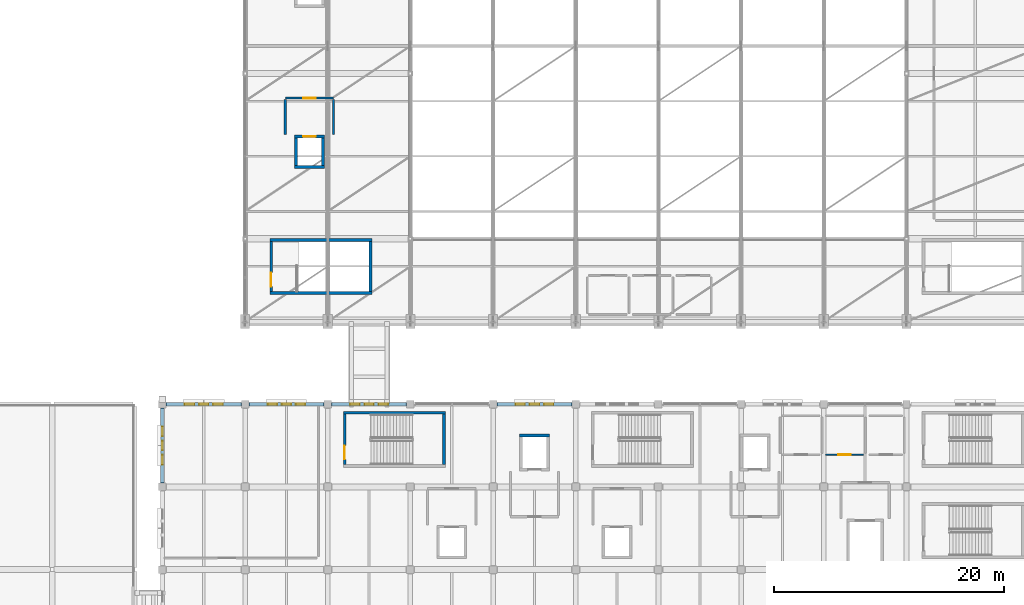
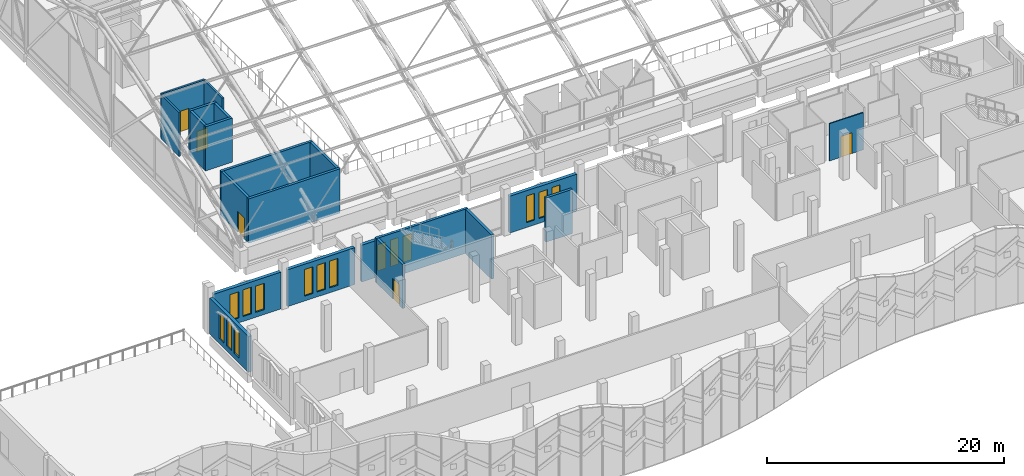
# One storey, part 90 of 116: 21 walls, 15 windows, 5 doors, 20 openings.
"""IFC4 building model written with IfcOpenShell, lengths in metres."""

from ifc_helpers import new_model, si_unit, direction, frame, frame_2d, origin, place, context, subcontext, project, spatial, rectangle, extrude, material, layer, layer_set, type_object, element, fill, save


model = new_model("IFC4")

# Units and contexts
model_context = context("Model", 3, precision=1e-05, world=origin(), true_north=direction((0.0, 1.0)))
body_context = subcontext(model_context, "Body", "Model", "MODEL_VIEW")
ifc_project = project(units=[si_unit("LENGTHUNIT", "METRE"), si_unit("AREAUNIT", "SQUARE_METRE"), si_unit("VOLUMEUNIT", "CUBIC_METRE"), si_unit("PLANEANGLEUNIT", "RADIAN"), si_unit("MASSUNIT", "GRAM", prefix="KILO")], contexts=[model_context])

# Site, building, storey
site_placement = place(None, origin())
site = spatial("IfcSite", under=ifc_project, at=site_placement, CompositionType="ELEMENT")
building_placement = place(site_placement, origin())
building = spatial("IfcBuilding", under=site, at=building_placement, Name="Cendralis Lancet Convention Centre", CompositionType="ELEMENT")
storey_placement = place(building_placement, frame((0.0, 0.0, 15.0)))
storey = spatial("IfcBuildingStorey", under=building, at=storey_placement, Name="L03", CompositionType="ELEMENT", Elevation=15.0)

# Wall, openings, windows
ifc_material_1 = material(Name="Buff sandstone ashlar and Concrete G40 (C40/50)", Category="masonry")
ifc_layer_1 = layer(ifc_material_1, 0.320068359375, Name="Buff sandstone ashlar and Concrete G40 (C40/50)")
ifc_layer_set_1 = layer_set([ifc_layer_1], Name="Buff sandstone ashlar and Concrete G40 (C40/50)")
wall_type_1 = type_object("IfcWallType", Name="ARC-EW-W320", PredefinedType="STANDARD", material=ifc_layer_set_1)
wall_1_placement = place(storey_placement, frame((132.3330078125, 36.0, 0.0), z_axis=(0.0, 0.0, 1.0), x_axis=(1.0, 0.0, 0.0)))
wall_1 = element("IfcWall", 1, at=wall_1_placement, inside=storey, type_object=wall_type_1, Name="L03 V5 Exterior Wall EW-06 #0302", PredefinedType="STANDARD", context=body_context, shape_type="SweptSolid", body=[
    extrude(rectangle(XDim=6.533935546875, YDim=0.320068359375, at=frame_2d((3.26708984375, 0.0))), origin(), (0.0, 0.0, 1.0), 3.784912109375),
])
opening_1_placement = place(wall_1_placement, frame((1.60693359375, 0.0, 0.5)))
opening_1 = element("IfcOpeningElement", 2, at=opening_1_placement, cuts=wall_1, Name="Opening WN-15", PredefinedType="OPENING", context=body_context, shape_type="SweptSolid", body=[
    extrude(rectangle(XDim=0.840087890625, YDim=2.699951171875, at=frame_2d((0.419921875, 1.35009765625))), frame((0.0, 0.169921875, 0.0), z_axis=(0.0, -1.0, 0.0), x_axis=(1.0, 0.0, 0.0)), (0.0, 0.0, 1.0), 0.340087890625),
])
opening_2_placement = place(wall_1_placement, frame((2.866943359375, 0.0, 0.5)))
opening_2 = element("IfcOpeningElement", 3, at=opening_2_placement, cuts=wall_1, Name="Opening WN-07", PredefinedType="OPENING", context=body_context, shape_type="SweptSolid", body=[
    extrude(rectangle(XDim=0.800048828125, YDim=2.75, at=frame_2d((0.39990234375, 1.375))), frame((0.0, 0.169921875, 0.0), z_axis=(0.0, -1.0, 0.0), x_axis=(1.0, 0.0, 0.0)), (0.0, 0.0, 1.0), 0.340087890625),
])
opening_3_placement = place(wall_1_placement, frame((4.0869140625, 0.0, 0.5)))
opening_3 = element("IfcOpeningElement", 4, at=opening_3_placement, cuts=wall_1, Name="Opening WN-15", PredefinedType="OPENING", context=body_context, shape_type="SweptSolid", body=[
    extrude(rectangle(XDim=0.840087890625, YDim=2.699951171875, at=frame_2d((0.419921875, 1.35009765625))), frame((0.0, 0.169921875, 0.0), z_axis=(0.0, -1.0, 0.0), x_axis=(1.0, 0.0, 0.0)), (0.0, 0.0, 1.0), 0.340087890625),
])
ifc_material_2 = material(Name="Double-glazed low-E solar-control glass", Category="glass")
window_type_1 = type_object("IfcWindowType", Name="ARC-WN-LW07", PartitioningType="SINGLE_PANEL", PredefinedType="WINDOW", material=ifc_material_2)
window_1_placement = place(opening_2_placement, origin())
window_1 = element("IfcWindow", 5, at=window_1_placement, inside=storey, type_object=window_type_1, Name="Gothic Lancet Window WN-07 #0587", OverallHeight=2.75, OverallWidth=0.800048828125, PartitioningType="SINGLE_PANEL", PredefinedType="WINDOW", context=body_context, shape_type="SweptSolid", body=[
    extrude(rectangle(XDim=0.800048828125, YDim=2.75, at=frame_2d((0.39990234375, 1.375))), frame((0.0, 0.030029296875, 0.0), z_axis=(0.0, -1.0, 0.0), x_axis=(1.0, 0.0, 0.0)), (0.0, 0.0, 1.0), 0.06005859375),
])
fill(opening_2, window_1)
window_type_2 = type_object("IfcWindowType", Name="ARC-WN-LW15", PartitioningType="SINGLE_PANEL", PredefinedType="WINDOW", material=ifc_material_2)
window_2_placement = place(opening_1_placement, origin())
window_2 = element("IfcWindow", 6, at=window_2_placement, inside=storey, type_object=window_type_2, Name="Gothic Lancet Window WN-15 #0586", OverallHeight=2.699951171875, OverallWidth=0.840087890625, PartitioningType="SINGLE_PANEL", PredefinedType="WINDOW", context=body_context, shape_type="SweptSolid", body=[
    extrude(rectangle(XDim=0.840087890625, YDim=2.699951171875, at=frame_2d((0.419921875, 1.35009765625))), frame((0.0, 0.030029296875, 0.0), z_axis=(0.0, -1.0, 0.0), x_axis=(1.0, 0.0, 0.0)), (0.0, 0.0, 1.0), 0.06005859375),
])
fill(opening_1, window_2)
window_3_placement = place(opening_3_placement, origin())
window_3 = element("IfcWindow", 7, at=window_3_placement, inside=storey, type_object=window_type_2, Name="Gothic Lancet Window WN-15 #0588", OverallHeight=2.699951171875, OverallWidth=0.840087890625, PartitioningType="SINGLE_PANEL", PredefinedType="WINDOW", context=body_context, shape_type="SweptSolid", body=[
    extrude(rectangle(XDim=0.840087890625, YDim=2.699951171875, at=frame_2d((0.419921875, 1.35009765625))), frame((0.0, 0.030029296875, 0.0), z_axis=(0.0, -1.0, 0.0), x_axis=(1.0, 0.0, 0.0)), (0.0, 0.0, 1.0), 0.06005859375),
])
fill(opening_3, window_3)

wall_2_placement = place(storey_placement, frame((139.532958984375, 36.0, 0.0), z_axis=(0.0, 0.0, 1.0), x_axis=(1.0, 0.0, 0.0)))
wall_2 = element("IfcWall", 8, at=wall_2_placement, inside=storey, type_object=wall_type_1, Name="L03 V5 Exterior Wall EW-06 #0303", PredefinedType="STANDARD", context=body_context, shape_type="SweptSolid", body=[
    extrude(rectangle(XDim=6.533935546875, YDim=0.320068359375, at=frame_2d((3.26708984375, 0.0))), origin(), (0.0, 0.0, 1.0), 3.784912109375),
])
opening_4_placement = place(wall_2_placement, frame((1.64697265625, 0.0, 0.5)))
opening_4 = element("IfcOpeningElement", 9, at=opening_4_placement, cuts=wall_2, Name="Opening WN-07", PredefinedType="OPENING", context=body_context, shape_type="SweptSolid", body=[
    extrude(rectangle(XDim=0.800048828125, YDim=2.75, at=frame_2d((0.39990234375, 1.375))), frame((0.0, 0.169921875, 0.0), z_axis=(0.0, -1.0, 0.0), x_axis=(1.0, 0.0, 0.0)), (0.0, 0.0, 1.0), 0.340087890625),
])
opening_5_placement = place(wall_2_placement, frame((2.866943359375, 0.0, 0.5)))
opening_5 = element("IfcOpeningElement", 10, at=opening_5_placement, cuts=wall_2, Name="Opening WN-07", PredefinedType="OPENING", context=body_context, shape_type="SweptSolid", body=[
    extrude(rectangle(XDim=0.800048828125, YDim=2.75, at=frame_2d((0.39990234375, 1.375))), frame((0.0, 0.169921875, 0.0), z_axis=(0.0, -1.0, 0.0), x_axis=(1.0, 0.0, 0.0)), (0.0, 0.0, 1.0), 0.340087890625),
])
opening_6_placement = place(wall_2_placement, frame((4.0869140625, 0.0, 0.5)))
opening_6 = element("IfcOpeningElement", 11, at=opening_6_placement, cuts=wall_2, Name="Opening WN-07", PredefinedType="OPENING", context=body_context, shape_type="SweptSolid", body=[
    extrude(rectangle(XDim=0.800048828125, YDim=2.75, at=frame_2d((0.39990234375, 1.375))), frame((0.0, 0.169921875, 0.0), z_axis=(0.0, -1.0, 0.0), x_axis=(1.0, 0.0, 0.0)), (0.0, 0.0, 1.0), 0.340087890625),
])
window_4_placement = place(opening_4_placement, origin())
window_4 = element("IfcWindow", 12, at=window_4_placement, inside=storey, type_object=window_type_1, Name="Gothic Lancet Window WN-07 #0589", OverallHeight=2.75, OverallWidth=0.800048828125, PartitioningType="SINGLE_PANEL", PredefinedType="WINDOW", context=body_context, shape_type="SweptSolid", body=[
    extrude(rectangle(XDim=0.800048828125, YDim=2.75, at=frame_2d((0.39990234375, 1.375))), frame((0.0, 0.030029296875, 0.0), z_axis=(0.0, -1.0, 0.0), x_axis=(1.0, 0.0, 0.0)), (0.0, 0.0, 1.0), 0.06005859375),
])
fill(opening_4, window_4)
window_5_placement = place(opening_5_placement, origin())
window_5 = element("IfcWindow", 13, at=window_5_placement, inside=storey, type_object=window_type_1, Name="Gothic Lancet Window WN-07 #0590", OverallHeight=2.75, OverallWidth=0.800048828125, PartitioningType="SINGLE_PANEL", PredefinedType="WINDOW", context=body_context, shape_type="SweptSolid", body=[
    extrude(rectangle(XDim=0.800048828125, YDim=2.75, at=frame_2d((0.39990234375, 1.375))), frame((0.0, 0.030029296875, 0.0), z_axis=(0.0, -1.0, 0.0), x_axis=(1.0, 0.0, 0.0)), (0.0, 0.0, 1.0), 0.06005859375),
])
fill(opening_5, window_5)
window_6_placement = place(opening_6_placement, origin())
window_6 = element("IfcWindow", 14, at=window_6_placement, inside=storey, type_object=window_type_1, Name="Gothic Lancet Window WN-07 #0591", OverallHeight=2.75, OverallWidth=0.800048828125, PartitioningType="SINGLE_PANEL", PredefinedType="WINDOW", context=body_context, shape_type="SweptSolid", body=[
    extrude(rectangle(XDim=0.800048828125, YDim=2.75, at=frame_2d((0.39990234375, 1.375))), frame((0.0, 0.030029296875, 0.0), z_axis=(0.0, -1.0, 0.0), x_axis=(1.0, 0.0, 0.0)), (0.0, 0.0, 1.0), 0.06005859375),
])
fill(opening_6, window_6)

wall_3_placement = place(storey_placement, frame((146.73291015625, 36.0, 0.0), z_axis=(0.0, 0.0, 1.0), x_axis=(1.0, 0.0, 0.0)))
wall_3 = element("IfcWall", 15, at=wall_3_placement, inside=storey, type_object=wall_type_1, Name="L03 V5 Exterior Wall EW-06 #0304", PredefinedType="STANDARD", context=body_context, shape_type="SweptSolid", body=[
    extrude(rectangle(XDim=6.5341796875, YDim=0.320068359375, at=frame_2d((3.26708984375, 0.0))), origin(), (0.0, 0.0, 1.0), 3.784912109375),
])
opening_7_placement = place(wall_3_placement, frame((1.60693359375, 0.0, 0.5)))
opening_7 = element("IfcOpeningElement", 16, at=opening_7_placement, cuts=wall_3, Name="Opening WN-15", PredefinedType="OPENING", context=body_context, shape_type="SweptSolid", body=[
    extrude(rectangle(XDim=0.840087890625, YDim=2.699951171875, at=frame_2d((0.419921875, 1.35009765625))), frame((0.0, 0.169921875, 0.0), z_axis=(0.0, -1.0, 0.0), x_axis=(1.0, 0.0, 0.0)), (0.0, 0.0, 1.0), 0.340087890625),
])
opening_8_placement = place(wall_3_placement, frame((2.866943359375, 0.0, 0.5)))
opening_8 = element("IfcOpeningElement", 17, at=opening_8_placement, cuts=wall_3, Name="Opening WN-07", PredefinedType="OPENING", context=body_context, shape_type="SweptSolid", body=[
    extrude(rectangle(XDim=0.800048828125, YDim=2.75, at=frame_2d((0.39990234375, 1.375))), frame((0.0, 0.169921875, 0.0), z_axis=(0.0, -1.0, 0.0), x_axis=(1.0, 0.0, 0.0)), (0.0, 0.0, 1.0), 0.340087890625),
])
opening_9_placement = place(wall_3_placement, frame((4.0869140625, 0.0, 0.5)))
opening_9 = element("IfcOpeningElement", 18, at=opening_9_placement, cuts=wall_3, Name="Opening WN-15", PredefinedType="OPENING", context=body_context, shape_type="SweptSolid", body=[
    extrude(rectangle(XDim=0.840087890625, YDim=2.699951171875, at=frame_2d((0.419921875, 1.35009765625))), frame((0.0, 0.169921875, 0.0), z_axis=(0.0, -1.0, 0.0), x_axis=(1.0, 0.0, 0.0)), (0.0, 0.0, 1.0), 0.340087890625),
])
window_7_placement = place(opening_8_placement, origin())
window_7 = element("IfcWindow", 19, at=window_7_placement, inside=storey, type_object=window_type_1, Name="Gothic Lancet Window WN-07 #0593", OverallHeight=2.75, OverallWidth=0.800048828125, PartitioningType="SINGLE_PANEL", PredefinedType="WINDOW", context=body_context, shape_type="SweptSolid", body=[
    extrude(rectangle(XDim=0.800048828125, YDim=2.75, at=frame_2d((0.39990234375, 1.375))), frame((0.0, 0.030029296875, 0.0), z_axis=(0.0, -1.0, 0.0), x_axis=(1.0, 0.0, 0.0)), (0.0, 0.0, 1.0), 0.06005859375),
])
fill(opening_8, window_7)
window_8_placement = place(opening_7_placement, origin())
window_8 = element("IfcWindow", 20, at=window_8_placement, inside=storey, type_object=window_type_2, Name="Gothic Lancet Window WN-15 #0592", OverallHeight=2.699951171875, OverallWidth=0.840087890625, PartitioningType="SINGLE_PANEL", PredefinedType="WINDOW", context=body_context, shape_type="SweptSolid", body=[
    extrude(rectangle(XDim=0.840087890625, YDim=2.699951171875, at=frame_2d((0.419921875, 1.35009765625))), frame((0.0, 0.030029296875, 0.0), z_axis=(0.0, -1.0, 0.0), x_axis=(1.0, 0.0, 0.0)), (0.0, 0.0, 1.0), 0.06005859375),
])
fill(opening_7, window_8)
window_9_placement = place(opening_9_placement, origin())
window_9 = element("IfcWindow", 21, at=window_9_placement, inside=storey, type_object=window_type_2, Name="Gothic Lancet Window WN-15 #0594", OverallHeight=2.699951171875, OverallWidth=0.840087890625, PartitioningType="SINGLE_PANEL", PredefinedType="WINDOW", context=body_context, shape_type="SweptSolid", body=[
    extrude(rectangle(XDim=0.840087890625, YDim=2.699951171875, at=frame_2d((0.419921875, 1.35009765625))), frame((0.0, 0.030029296875, 0.0), z_axis=(0.0, -1.0, 0.0), x_axis=(1.0, 0.0, 0.0)), (0.0, 0.0, 1.0), 0.06005859375),
])
fill(opening_9, window_9)

wall_4_placement = place(storey_placement, frame((161.133056640625, 36.0, 0.0), z_axis=(0.0, 0.0, 1.0), x_axis=(1.0, 0.0, 0.0)))
wall_4 = element("IfcWall", 22, at=wall_4_placement, inside=storey, type_object=wall_type_1, Name="L03 V5 Exterior Wall EW-06 #0305", PredefinedType="STANDARD", context=body_context, shape_type="SweptSolid", body=[
    extrude(rectangle(XDim=6.533935546875, YDim=0.320068359375, at=frame_2d((3.26708984375, 0.0))), origin(), (0.0, 0.0, 1.0), 3.784912109375),
])
opening_10_placement = place(wall_4_placement, frame((1.626953125, 0.0, 0.5)))
opening_10 = element("IfcOpeningElement", 23, at=opening_10_placement, cuts=wall_4, Name="Opening WN-07", PredefinedType="OPENING", context=body_context, shape_type="SweptSolid", body=[
    extrude(rectangle(XDim=0.800048828125, YDim=2.75, at=frame_2d((0.39990234375, 1.375))), frame((0.0, 0.169921875, 0.0), z_axis=(0.0, -1.0, 0.0), x_axis=(1.0, 0.0, 0.0)), (0.0, 0.0, 1.0), 0.340087890625),
])
opening_11_placement = place(wall_4_placement, frame((2.846923828125, 0.0, 0.5)))
opening_11 = element("IfcOpeningElement", 24, at=opening_11_placement, cuts=wall_4, Name="Opening WN-15", PredefinedType="OPENING", context=body_context, shape_type="SweptSolid", body=[
    extrude(rectangle(XDim=0.840087890625, YDim=2.699951171875, at=frame_2d((0.419921875, 1.35009765625))), frame((0.0, 0.169921875, 0.0), z_axis=(0.0, -1.0, 0.0), x_axis=(1.0, 0.0, 0.0)), (0.0, 0.0, 1.0), 0.340087890625),
])
opening_12_placement = place(wall_4_placement, frame((4.10693359375, 0.0, 0.5)))
opening_12 = element("IfcOpeningElement", 25, at=opening_12_placement, cuts=wall_4, Name="Opening WN-07", PredefinedType="OPENING", context=body_context, shape_type="SweptSolid", body=[
    extrude(rectangle(XDim=0.800048828125, YDim=2.75, at=frame_2d((0.39990234375, 1.375))), frame((0.0, 0.169921875, 0.0), z_axis=(0.0, -1.0, 0.0), x_axis=(1.0, 0.0, 0.0)), (0.0, 0.0, 1.0), 0.340087890625),
])
window_10_placement = place(opening_10_placement, origin())
window_10 = element("IfcWindow", 26, at=window_10_placement, inside=storey, type_object=window_type_1, Name="Gothic Lancet Window WN-07 #0595", OverallHeight=2.75, OverallWidth=0.800048828125, PartitioningType="SINGLE_PANEL", PredefinedType="WINDOW", context=body_context, shape_type="SweptSolid", body=[
    extrude(rectangle(XDim=0.800048828125, YDim=2.75, at=frame_2d((0.39990234375, 1.375))), frame((0.0, 0.030029296875, 0.0), z_axis=(0.0, -1.0, 0.0), x_axis=(1.0, 0.0, 0.0)), (0.0, 0.0, 1.0), 0.06005859375),
])
fill(opening_10, window_10)
window_11_placement = place(opening_12_placement, origin())
window_11 = element("IfcWindow", 27, at=window_11_placement, inside=storey, type_object=window_type_1, Name="Gothic Lancet Window WN-07 #0597", OverallHeight=2.75, OverallWidth=0.800048828125, PartitioningType="SINGLE_PANEL", PredefinedType="WINDOW", context=body_context, shape_type="SweptSolid", body=[
    extrude(rectangle(XDim=0.800048828125, YDim=2.75, at=frame_2d((0.39990234375, 1.375))), frame((0.0, 0.030029296875, 0.0), z_axis=(0.0, -1.0, 0.0), x_axis=(1.0, 0.0, 0.0)), (0.0, 0.0, 1.0), 0.06005859375),
])
fill(opening_12, window_11)
window_12_placement = place(opening_11_placement, origin())
window_12 = element("IfcWindow", 28, at=window_12_placement, inside=storey, type_object=window_type_2, Name="Gothic Lancet Window WN-15 #0596", OverallHeight=2.699951171875, OverallWidth=0.840087890625, PartitioningType="SINGLE_PANEL", PredefinedType="WINDOW", context=body_context, shape_type="SweptSolid", body=[
    extrude(rectangle(XDim=0.840087890625, YDim=2.699951171875, at=frame_2d((0.419921875, 1.35009765625))), frame((0.0, 0.030029296875, 0.0), z_axis=(0.0, -1.0, 0.0), x_axis=(1.0, 0.0, 0.0)), (0.0, 0.0, 1.0), 0.06005859375),
])
fill(opening_11, window_12)

wall_5_placement = place(storey_placement, frame((132.0, 29.133056640625, 0.0), z_axis=(0.0, 0.0, 1.0), x_axis=(0.0, 1.0, 0.0)))
wall_5 = element("IfcWall", 29, at=wall_5_placement, inside=storey, type_object=wall_type_1, Name="L03 V5 Exterior Wall EW-06 #0318", PredefinedType="STANDARD", context=body_context, shape_type="SweptSolid", body=[
    extrude(rectangle(XDim=6.533935546875, YDim=0.320068359375, at=frame_2d((3.26708984375, 0.0))), origin(), (0.0, 0.0, 1.0), 3.68505859375),
])
opening_13_placement = place(wall_5_placement, frame((1.60693359375, 0.0, 0.5)))
opening_13 = element("IfcOpeningElement", 30, at=opening_13_placement, cuts=wall_5, Name="Opening WN-15", PredefinedType="OPENING", context=body_context, shape_type="SweptSolid", body=[
    extrude(rectangle(XDim=0.840087890625, YDim=2.699951171875, at=frame_2d((0.419921875, 1.35009765625))), frame((0.0, 0.169921875, 0.0), z_axis=(0.0, -1.0, 0.0), x_axis=(1.0, 0.0, 0.0)), (0.0, 0.0, 1.0), 0.340087890625),
])
opening_14_placement = place(wall_5_placement, frame((2.866943359375, 0.0, 0.5)))
opening_14 = element("IfcOpeningElement", 31, at=opening_14_placement, cuts=wall_5, Name="Opening WN-07", PredefinedType="OPENING", context=body_context, shape_type="SweptSolid", body=[
    extrude(rectangle(XDim=0.800048828125, YDim=2.75, at=frame_2d((0.39990234375, 1.375))), frame((0.0, 0.169921875, 0.0), z_axis=(0.0, -1.0, 0.0), x_axis=(1.0, 0.0, 0.0)), (0.0, 0.0, 1.0), 0.340087890625),
])
opening_15_placement = place(wall_5_placement, frame((4.0869140625, 0.0, 0.5)))
opening_15 = element("IfcOpeningElement", 32, at=opening_15_placement, cuts=wall_5, Name="Opening WN-15", PredefinedType="OPENING", context=body_context, shape_type="SweptSolid", body=[
    extrude(rectangle(XDim=0.840087890625, YDim=2.699951171875, at=frame_2d((0.419921875, 1.35009765625))), frame((0.0, 0.169921875, 0.0), z_axis=(0.0, -1.0, 0.0), x_axis=(1.0, 0.0, 0.0)), (0.0, 0.0, 1.0), 0.340087890625),
])
window_13_placement = place(opening_14_placement, origin())
window_13 = element("IfcWindow", 33, at=window_13_placement, inside=storey, type_object=window_type_1, Name="Gothic Lancet Window WN-07 #0632", OverallHeight=2.75, OverallWidth=0.800048828125, PartitioningType="SINGLE_PANEL", PredefinedType="WINDOW", context=body_context, shape_type="SweptSolid", body=[
    extrude(rectangle(XDim=0.800048828125, YDim=2.75, at=frame_2d((0.39990234375, 1.375))), frame((0.0, 0.030029296875, 0.0), z_axis=(0.0, -1.0, 0.0), x_axis=(1.0, 0.0, 0.0)), (0.0, 0.0, 1.0), 0.06005859375),
])
fill(opening_14, window_13)
window_14_placement = place(opening_13_placement, origin())
window_14 = element("IfcWindow", 34, at=window_14_placement, inside=storey, type_object=window_type_2, Name="Gothic Lancet Window WN-15 #0631", OverallHeight=2.699951171875, OverallWidth=0.840087890625, PartitioningType="SINGLE_PANEL", PredefinedType="WINDOW", context=body_context, shape_type="SweptSolid", body=[
    extrude(rectangle(XDim=0.840087890625, YDim=2.699951171875, at=frame_2d((0.419921875, 1.35009765625))), frame((0.0, 0.030029296875, 0.0), z_axis=(0.0, -1.0, 0.0), x_axis=(1.0, 0.0, 0.0)), (0.0, 0.0, 1.0), 0.06005859375),
])
fill(opening_13, window_14)
window_15_placement = place(opening_15_placement, origin())
window_15 = element("IfcWindow", 35, at=window_15_placement, inside=storey, type_object=window_type_2, Name="Gothic Lancet Window WN-15 #0633", OverallHeight=2.699951171875, OverallWidth=0.840087890625, PartitioningType="SINGLE_PANEL", PredefinedType="WINDOW", context=body_context, shape_type="SweptSolid", body=[
    extrude(rectangle(XDim=0.840087890625, YDim=2.699951171875, at=frame_2d((0.419921875, 1.35009765625))), frame((0.0, 0.030029296875, 0.0), z_axis=(0.0, -1.0, 0.0), x_axis=(1.0, 0.0, 0.0)), (0.0, 0.0, 1.0), 0.06005859375),
])
fill(opening_15, window_15)

# Wall, opening, door
ifc_material_3 = material(Name="Acoustic fire-rated gypsum board on steel studs", Category="steel")
ifc_layer_2 = layer(ifc_material_3, 0.1201171875, Name="Acoustic fire-rated gypsum board on steel studs")
ifc_layer_set_2 = layer_set([ifc_layer_2], Name="Acoustic fire-rated gypsum board on steel studs")
wall_type_2 = type_object("IfcWallType", Name="ARC-IW-P120", PredefinedType="PARTITIONING", material=ifc_layer_set_2)
wall_6_placement = place(storey_placement, frame((189.75, 31.60009765625, 0.0), z_axis=(0.0, 0.0, 1.0), x_axis=(1.0, 0.0, 0.0)))
wall_6 = element("IfcWall", 36, at=wall_6_placement, inside=storey, type_object=wall_type_2, Name="L03 Interior Partition IW-05 #0418", PredefinedType="PARTITIONING", context=body_context, shape_type="SweptSolid", body=[
    extrude(rectangle(XDim=3.300048828125, YDim=0.1201171875, at=frame_2d((1.64990234375, 0.0))), origin(), (0.0, 0.0, 1.0), 3.8349609375),
])
opening_16_placement = place(wall_6_placement, frame((1.10009765625, 0.0, 0.0)))
opening_16 = element("IfcOpeningElement", 37, at=opening_16_placement, cuts=wall_6, Name="Opening FD-11", PredefinedType="OPENING", context=body_context, shape_type="SweptSolid", body=[
    extrude(rectangle(XDim=1.10009765625, YDim=2.14990234375, at=frame_2d((0.550048828125, 1.074951171875))), frame((0.0, 0.070068359375, 0.0), z_axis=(0.0, -1.0, 0.0), x_axis=(1.0, 0.0, 0.0)), (0.0, 0.0, 1.0), 0.14013671875),
])
ifc_material_4 = material(Name="Steel S355", Category="steel")
door_type_1 = type_object("IfcDoorType", Name="ARC-DR-FF11", OperationType="NOTDEFINED", PredefinedType="DOOR", material=ifc_material_4)
door_1_placement = place(opening_16_placement, frame((1.10009765625, 0.0, 0.0), z_axis=(0.0, 0.0, 1.0), x_axis=(-1.0, 0.0, 0.0)))
door_1 = element("IfcDoor", 38, at=door_1_placement, inside=storey, type_object=door_type_1, Name="L03-D026 L03 Interior Door FD-11 #0143", OperationType="SINGLE_SWING_LEFT", OverallHeight=2.14990234375, OverallWidth=1.10009765625, PredefinedType="DOOR", context=body_context, shape_type="SweptSolid", body=[
    extrude(rectangle(XDim=1.10009765625, YDim=2.14990234375, at=frame_2d((0.550048828125, 1.074951171875))), frame((0.0, 0.02490234375, 0.0), z_axis=(0.0, -1.0, 0.0), x_axis=(1.0, 0.0, 0.0)), (0.0, 0.0, 1.0), 0.050048828125),
])
fill(opening_16, door_1)

ifc_layer_3 = layer(ifc_material_3, 0.179931640625, Name="Acoustic fire-rated gypsum board on steel studs")
ifc_layer_set_3 = layer_set([ifc_layer_3], Name="Acoustic fire-rated gypsum board on steel studs")
wall_type_3 = type_object("IfcWallType", Name="ARC-IW-P180", PredefinedType="PARTITIONING", material=ifc_layer_set_3)
wall_7_placement = place(storey_placement, frame((142.699951171875, 62.64990234375, 0.0), z_axis=(0.0, 0.0, 1.0), x_axis=(1.0, 0.0, 0.0)))
wall_7 = element("IfcWall", 39, at=wall_7_placement, inside=storey, type_object=wall_type_3, Name="L03 Lift Lobby LP-05 Front Wall", PredefinedType="PARTITIONING", context=body_context, shape_type="SweptSolid", body=[
    extrude(rectangle(XDim=4.199951171875, YDim=0.179931640625, at=frame_2d((2.10009765625, 0.0))), origin(), (0.0, 0.0, 1.0), 4.550048828125),
])
opening_17_placement = place(wall_7_placement, frame((1.550048828125, 0.0, 0.0)))
opening_17 = element("IfcOpeningElement", 40, at=opening_17_placement, cuts=wall_7, Name="Opening FD-11", PredefinedType="OPENING", context=body_context, shape_type="SweptSolid", body=[
    extrude(rectangle(XDim=1.10009765625, YDim=2.14990234375, at=frame_2d((0.550048828125, 1.074951171875))), frame((0.0, 0.099853515625, 0.0), z_axis=(0.0, -1.0, 0.0), x_axis=(1.0, 0.0, 0.0)), (0.0, 0.0, 1.0), 0.199951171875),
])
door_2_placement = place(opening_17_placement, origin())
door_2 = element("IfcDoor", 41, at=door_2_placement, inside=storey, type_object=door_type_1, Name="L03-D047 L03 Lift Lobby LP-05 Fire Door", OperationType="SINGLE_SWING_LEFT", OverallHeight=2.14990234375, OverallWidth=1.10009765625, PredefinedType="DOOR", context=body_context, shape_type="SweptSolid", body=[
    extrude(rectangle(XDim=1.10009765625, YDim=2.14990234375, at=frame_2d((0.550048828125, 1.074951171875))), frame((0.0, 0.02490234375, 0.0), z_axis=(0.0, -1.0, 0.0), x_axis=(1.0, 0.0, 0.0)), (0.0, 0.0, 1.0), 0.050048828125),
])
fill(opening_17, door_2)

# Walls
for number, where, z_axis, x_axis, name in (
    (42, (142.699951171875, 59.5, 0.0), (0.0, 0.0, 1.0), (0.0, 1.0, 0.0), "L03 Lift Lobby LP-05 West Wall"),
    (43, (146.89990234375, 59.5, 0.0), (0.0, 0.0, 1.0), (0.0, 1.0, 0.0), "L03 Lift Lobby LP-05 East Wall"),
):
    element("IfcWall", number, at=place(storey_placement, frame(where, z_axis=z_axis, x_axis=x_axis)), inside=storey, type_object=wall_type_3, Name=name, PredefinedType="PARTITIONING", context=body_context, shape_type="SweptSolid", body=[
        extrude(rectangle(XDim=3.050048828125, YDim=0.179931640625, at=frame_2d((1.52490234375, 0.0))), origin(), (0.0, 0.0, 1.0), 4.550048828125),
    ])

# Wall, opening, door
ifc_material_5 = material(Name="Concrete G40 (C40/50)", Category="concrete")
ifc_layer_4 = layer(ifc_material_5, 0.25, Name="Concrete G40 (C40/50)")
ifc_layer_set_4 = layer_set([ifc_layer_4], Name="Concrete G40 (C40/50)")
wall_type_4 = type_object("IfcWallType", Name="STR-SW-CW250", PredefinedType="SHEAR", material=ifc_layer_set_4)
wall_8_placement = place(storey_placement, frame((141.47509765625, 45.800048828125, 0.0), z_axis=(0.0, 0.0, 1.0), x_axis=(0.0, 1.0, 0.0)))
wall_8 = element("IfcWall", 44, at=wall_8_placement, inside=storey, type_object=wall_type_4, Name="L03 Stair Core ST-08 West Shear Wall", PredefinedType="SHEAR", context=body_context, shape_type="SweptSolid", body=[
    extrude(rectangle(XDim=4.3798828125, YDim=0.25, at=frame_2d((2.18994140625, 0.0))), origin(), (0.0, 0.0, 1.0), 4.550048828125),
])
opening_18_placement = place(wall_8_placement, frame((0.449951171875, 0.0, 0.0)))
opening_18 = element("IfcOpeningElement", 45, at=opening_18_placement, cuts=wall_8, Name="Opening SD-12", PredefinedType="OPENING", context=body_context, shape_type="SweptSolid", body=[
    extrude(rectangle(XDim=1.199951171875, YDim=2.14990234375, at=frame_2d((0.60009765625, 1.074951171875))), frame((0.0, 0.135009765625, 0.0), z_axis=(0.0, -1.0, 0.0), x_axis=(1.0, 0.0, 0.0)), (0.0, 0.0, 1.0), 0.27001953125),
])
door_type_2 = type_object("IfcDoorType", Name="ARC-DR-ST12", OperationType="NOTDEFINED", PredefinedType="DOOR", material=ifc_material_4)
door_3_placement = place(opening_18_placement, frame((1.199951171875, 0.0, 0.0), z_axis=(0.0, 0.0, 1.0), x_axis=(-1.0, 0.0, 0.0)))
door_3 = element("IfcDoor", 46, at=door_3_placement, inside=storey, type_object=door_type_2, Name="L03-D052 L03 Exit Stair ST-08 Fire Door", OperationType="SINGLE_SWING_RIGHT", OverallHeight=2.14990234375, OverallWidth=1.199951171875, PredefinedType="DOOR", context=body_context, shape_type="SweptSolid", body=[
    extrude(rectangle(XDim=1.199951171875, YDim=2.14990234375, at=frame_2d((0.60009765625, 1.074951171875))), frame((0.0, 0.02490234375, 0.0), z_axis=(0.0, -1.0, 0.0), x_axis=(1.0, 0.0, 0.0)), (0.0, 0.0, 1.0), 0.050048828125),
])
fill(opening_18, door_3)

# Walls
wall_9_placement = place(storey_placement, frame((150.125, 45.800048828125, 0.0), z_axis=(0.0, 0.0, 1.0), x_axis=(0.0, 1.0, 0.0)))
element("IfcWall", 47, at=wall_9_placement, inside=storey, type_object=wall_type_4, Name="L03 Stair Core ST-08 East Shear Wall", PredefinedType="SHEAR", context=body_context, shape_type="SweptSolid", body=[
    extrude(rectangle(XDim=4.3798828125, YDim=0.25, at=frame_2d((2.18994140625, 0.0))), origin(), (0.0, 0.0, 1.0), 4.550048828125),
])
for number, where, z_axis, x_axis, name in (
    (48, (141.35009765625, 45.675048828125, 0.0), (0.0, 0.0, 1.0), (1.0, 0.0, 0.0), "L03 Stair Core ST-08 South Shear Wall"),
    (49, (141.35009765625, 50.304931640625, 0.0), (0.0, 0.0, 1.0), (1.0, 0.0, 0.0), "L03 Stair Core ST-08 North Shear Wall"),
):
    element("IfcWall", number, at=place(storey_placement, frame(where, z_axis=z_axis, x_axis=x_axis)), inside=storey, type_object=wall_type_4, Name=name, PredefinedType="SHEAR", context=body_context, shape_type="SweptSolid", body=[
        extrude(rectangle(XDim=8.89990234375, YDim=0.25, at=frame_2d((4.449951171875, 0.0))), origin(), (0.0, 0.0, 1.0), 4.550048828125),
    ])

# Wall, opening, door
wall_10_placement = place(storey_placement, frame((147.875, 30.75, 0.0), z_axis=(0.0, 0.0, 1.0), x_axis=(0.0, 1.0, 0.0)))
wall_10 = element("IfcWall", 50, at=wall_10_placement, inside=storey, type_object=wall_type_4, Name="L03 Stair Core ST-13 West Shear Wall", PredefinedType="SHEAR", context=body_context, shape_type="SweptSolid", body=[
    extrude(rectangle(XDim=4.3798828125, YDim=0.25, at=frame_2d((2.18994140625, 0.0))), origin(), (0.0, 0.0, 1.0), 4.550048828125),
])
opening_19_placement = place(wall_10_placement, frame((0.449951171875, 0.0, 0.0)))
opening_19 = element("IfcOpeningElement", 51, at=opening_19_placement, cuts=wall_10, Name="Opening SD-12", PredefinedType="OPENING", context=body_context, shape_type="SweptSolid", body=[
    extrude(rectangle(XDim=1.199951171875, YDim=2.14990234375, at=frame_2d((0.60009765625, 1.074951171875))), frame((0.0, 0.135009765625, 0.0), z_axis=(0.0, -1.0, 0.0), x_axis=(1.0, 0.0, 0.0)), (0.0, 0.0, 1.0), 0.27001953125),
])
door_4_placement = place(opening_19_placement, frame((1.199951171875, 0.0, 0.0), z_axis=(0.0, 0.0, 1.0), x_axis=(-1.0, 0.0, 0.0)))
door_4 = element("IfcDoor", 52, at=door_4_placement, inside=storey, type_object=door_type_2, Name="L03-D057 L03 Exit Stair ST-13 Fire Door", OperationType="SINGLE_SWING_RIGHT", OverallHeight=2.14990234375, OverallWidth=1.199951171875, PredefinedType="DOOR", context=body_context, shape_type="SweptSolid", body=[
    extrude(rectangle(XDim=1.199951171875, YDim=2.14990234375, at=frame_2d((0.60009765625, 1.074951171875))), frame((0.0, 0.02490234375, 0.0), z_axis=(0.0, -1.0, 0.0), x_axis=(1.0, 0.0, 0.0)), (0.0, 0.0, 1.0), 0.050048828125),
])
fill(opening_19, door_4)

# Walls
wall_11_placement = place(storey_placement, frame((156.52490234375, 30.75, 0.0), z_axis=(0.0, 0.0, 1.0), x_axis=(0.0, 1.0, 0.0)))
element("IfcWall", 53, at=wall_11_placement, inside=storey, type_object=wall_type_4, Name="L03 Stair Core ST-13 East Shear Wall", PredefinedType="SHEAR", context=body_context, shape_type="SweptSolid", body=[
    extrude(rectangle(XDim=4.3798828125, YDim=0.25, at=frame_2d((2.18994140625, 0.0))), origin(), (0.0, 0.0, 1.0), 4.550048828125),
])
wall_12_placement = place(storey_placement, frame((147.75, 35.2548828125, 0.0), z_axis=(0.0, 0.0, 1.0), x_axis=(1.0, 0.0, 0.0)))
element("IfcWall", 54, at=wall_12_placement, inside=storey, type_object=wall_type_4, Name="L03 Stair Core ST-13 North Shear Wall", PredefinedType="SHEAR", context=body_context, shape_type="SweptSolid", body=[
    extrude(rectangle(XDim=8.89990234375, YDim=0.25, at=frame_2d((4.449951171875, 0.0))), origin(), (0.0, 0.0, 1.0), 4.550048828125),
])
wall_13_placement = place(storey_placement, frame((163.10009765625, 33.27490234375, 0.0), z_axis=(0.0, 0.0, 1.0), x_axis=(1.0, 0.0, 0.0)))
element("IfcWall", 55, at=wall_13_placement, inside=storey, type_object=wall_type_4, Name="L03 Lift LF-01 North Shaft Wall", PredefinedType="SHEAR", context=body_context, shape_type="SweptSolid", body=[
    extrude(rectangle(XDim=2.599853515625, YDim=0.25, at=frame_2d((1.2998046875, 0.0))), origin(), (0.0, 0.0, 1.0), 4.550048828125),
])
wall_14_placement = place(storey_placement, frame((143.5, 56.675048828125, 0.0), z_axis=(0.0, 0.0, 1.0), x_axis=(1.0, 0.0, 0.0)))
element("IfcWall", 56, at=wall_14_placement, inside=storey, type_object=wall_type_4, Name="L03 Lift LP-05 South Shaft Wall", PredefinedType="SHEAR", context=body_context, shape_type="SweptSolid", body=[
    extrude(rectangle(XDim=2.60009765625, YDim=0.25, at=frame_2d((1.300048828125, 0.0))), origin(), (0.0, 0.0, 1.0), 4.550048828125),
])

# Wall, opening, door
wall_15_placement = place(storey_placement, frame((143.5, 59.324951171875, 0.0), z_axis=(0.0, 0.0, 1.0), x_axis=(1.0, 0.0, 0.0)))
wall_15 = element("IfcWall", 57, at=wall_15_placement, inside=storey, type_object=wall_type_4, Name="L03 Lift LP-05 North Shaft Wall", PredefinedType="SHEAR", context=body_context, shape_type="SweptSolid", body=[
    extrude(rectangle(XDim=2.60009765625, YDim=0.25, at=frame_2d((1.300048828125, 0.0))), origin(), (0.0, 0.0, 1.0), 4.550048828125),
])
opening_20_placement = place(wall_15_placement, frame((0.75, 0.0, 0.0)))
opening_20 = element("IfcOpeningElement", 58, at=opening_20_placement, cuts=wall_15, Name="Opening LD-11", PredefinedType="OPENING", context=body_context, shape_type="SweptSolid", body=[
    extrude(rectangle(XDim=1.10009765625, YDim=2.14990234375, at=frame_2d((0.550048828125, 1.074951171875))), frame((0.0, 0.135009765625, 0.0), z_axis=(0.0, -1.0, 0.0), x_axis=(1.0, 0.0, 0.0)), (0.0, 0.0, 1.0), 0.27001953125),
])
ifc_material_6 = material(Name="Anodised bronze architectural aluminium", Category="aluminium")
door_type_3 = type_object("IfcDoorType", Name="ARC-DR-LD11", OperationType="NOTDEFINED", PredefinedType="DOOR", material=ifc_material_6)
door_5_placement = place(opening_20_placement, origin())
door_5 = element("IfcDoor", 59, at=door_5_placement, inside=storey, type_object=door_type_3, Name="L03-D036 L03 Lift LP-05 Sliding Landing Door", OperationType="SLIDING_TO_LEFT", OverallHeight=2.14990234375, OverallWidth=1.10009765625, PredefinedType="DOOR", context=body_context, shape_type="SweptSolid", body=[
    extrude(rectangle(XDim=1.10009765625, YDim=2.14990234375, at=frame_2d((0.550048828125, 1.074951171875))), frame((0.0, 0.02490234375, 0.0), z_axis=(0.0, -1.0, 0.0), x_axis=(1.0, 0.0, 0.0)), (0.0, 0.0, 1.0), 0.050048828125),
])
fill(opening_20, door_5)

# Walls
for number, where, z_axis, x_axis, name in (
    (60, (143.625, 56.800048828125, 0.0), (0.0, 0.0, 1.0), (0.0, 1.0, 0.0), "L03 Lift LP-05 West Shaft Wall"),
    (61, (145.97509765625, 56.800048828125, 0.0), (0.0, 0.0, 1.0), (0.0, 1.0, 0.0), "L03 Lift LP-05 East Shaft Wall"),
):
    element("IfcWall", number, at=place(storey_placement, frame(where, z_axis=z_axis, x_axis=x_axis)), inside=storey, type_object=wall_type_4, Name=name, PredefinedType="SHEAR", context=body_context, shape_type="SweptSolid", body=[
        extrude(rectangle(XDim=2.39990234375, YDim=0.25, at=frame_2d((1.199951171875, 0.0))), origin(), (0.0, 0.0, 1.0), 4.550048828125),
    ])

save(model, "model.ifc")
